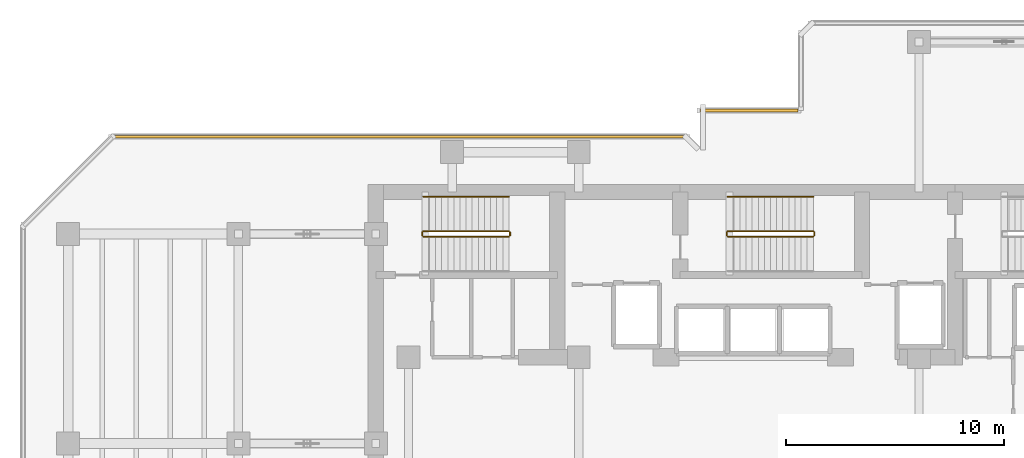
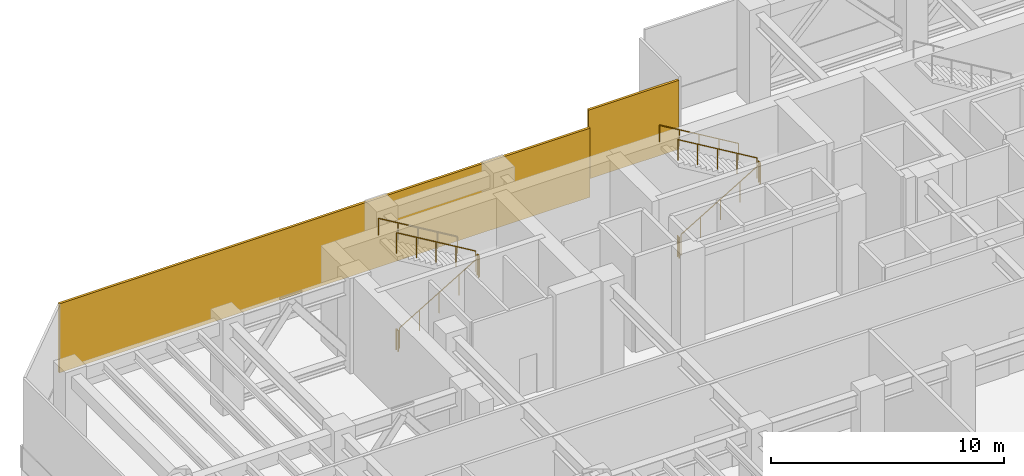
# One storey, part 8 of 10: 10 railings, 2 shading devices.
"""IFC4 building model written with IfcOpenShell, lengths in metres."""

from ifc_helpers import new_model, si_unit, direction, frame, origin, origin_2d, place, context, subcontext, project, spatial, rectangle, circle, extrude, material, layer, layer_set, type_object, element, save


model = new_model("IFC4")

# Units and contexts
model_context = context("Model", 3, precision=1e-05, world=origin(), true_north=direction((0.0, 1.0)))
body_context = subcontext(model_context, "Body", "Model", "MODEL_VIEW")
ifc_project = project(units=[si_unit("LENGTHUNIT", "METRE"), si_unit("AREAUNIT", "SQUARE_METRE"), si_unit("VOLUMEUNIT", "CUBIC_METRE"), si_unit("PLANEANGLEUNIT", "RADIAN"), si_unit("MASSUNIT", "GRAM", prefix="KILO")], contexts=[model_context])

# Site, building, storey
site_placement = place(None, origin())
site = spatial("IfcSite", under=ifc_project, at=site_placement, CompositionType="ELEMENT")
building_placement = place(site_placement, origin())
building = spatial("IfcBuilding", under=site, at=building_placement, Name="Kestravale Grand Hotel", CompositionType="ELEMENT")
storey_placement = place(building_placement, frame((0.0, 0.0, 184.0)))
storey = spatial("IfcBuildingStorey", under=building, at=storey_placement, Name="L46", CompositionType="ELEMENT", Elevation=184.0)

# Railings
ifc_material_1 = material(Name="Painted tubular steel stair well guard", Category="steel")
railing_type_1 = type_object("IfcRailingType", Name="RL-ST-GRD1100", PredefinedType="GUARDRAIL", material=ifc_material_1)
railing_1_placement = place(storey_placement, frame((24.080078125, 38.280029296875, 0.166748046875)))
element("IfcRailing", 1, at=railing_1_placement, inside=storey, type_object=railing_type_1, Name="L46 ST-1 stair guard 1", PredefinedType="GUARDRAIL", context=body_context, shape_type="SweptSolid", body=[
    extrude(circle(Radius=0.02392578125, at=origin_2d()), frame((0.0, 0.0, 1.076171875), z_axis=(0.859296244711, 0.0, 0.511478214419), x_axis=(0.0, 1.0, 0.0)), (0.0, 0.0, 1.0), 4.561767578125),
    extrude(circle(Radius=0.02099609375, at=origin_2d()), origin(), (0.0, 0.0, 1.0), 1.052001953125),
    extrude(circle(Radius=0.02099609375, at=origin_2d()), frame((0.97998046875, 0.0, 0.583251953125)), (0.0, 0.0, 1.0), 1.052001953125),
    extrude(circle(Radius=0.02099609375, at=origin_2d()), frame((1.9599609375, 0.0, 1.16650390625)), (0.0, 0.0, 1.0), 1.052001953125),
    extrude(circle(Radius=0.02099609375, at=origin_2d()), frame((2.93994140625, 0.0, 1.75)), (0.0, 0.0, 1.0), 1.052001953125),
    extrude(circle(Radius=0.02099609375, at=origin_2d()), frame((3.919921875, 0.0, 2.333251953125)), (0.0, 0.0, 1.0), 1.052001953125),
])
railing_2_placement = place(storey_placement, frame((28.050048828125, 38.330078125, 2.5)))
element("IfcRailing", 2, at=railing_2_placement, inside=storey, type_object=railing_type_1, Name="L46 ST-1 stair guard 2", PredefinedType="GUARDRAIL", context=body_context, shape_type="SweptSolid", body=[
    extrude(circle(Radius=0.02392578125, at=origin_2d()), frame((0.0, 0.0, 1.076171875), z_axis=(0.0, 1.0, 0.0), x_axis=(-1.0, 0.0, 0.0)), (0.0, 0.0, 1.0), 0.14990234375),
    extrude(circle(Radius=0.02099609375, at=origin_2d()), origin(), (0.0, 0.0, 1.0), 1.052001953125),
    extrude(circle(Radius=0.02099609375, at=origin_2d()), frame((0.0, 0.14990234375, 0.0)), (0.0, 0.0, 1.0), 1.052001953125),
])
railing_3_placement = place(storey_placement, frame((28.0, 38.530029296875, 2.666748046875)))
element("IfcRailing", 3, at=railing_3_placement, inside=storey, type_object=railing_type_1, Name="L46 ST-1 stair guard 3", PredefinedType="GUARDRAIL", context=body_context, shape_type="SweptSolid", body=[
    extrude(circle(Radius=0.02392578125, at=origin_2d()), frame((0.0, 0.0, 1.076171875), z_axis=(-0.859296244711, 0.0, 0.511478214419), x_axis=(0.0, -1.0, 0.0)), (0.0, 0.0, 1.0), 4.561767578125),
    extrude(circle(Radius=0.02099609375, at=origin_2d()), origin(), (0.0, 0.0, 1.0), 1.052001953125),
    extrude(circle(Radius=0.02099609375, at=origin_2d()), frame((-0.97998046875, 0.0, 0.583251953125)), (0.0, 0.0, 1.0), 1.052001953125),
    extrude(circle(Radius=0.02099609375, at=origin_2d()), frame((-1.9599609375, 0.0, 1.16650390625)), (0.0, 0.0, 1.0), 1.052001953125),
    extrude(circle(Radius=0.02099609375, at=origin_2d()), frame((-2.93994140625, 0.0, 1.75)), (0.0, 0.0, 1.0), 1.052001953125),
    extrude(circle(Radius=0.02099609375, at=origin_2d()), frame((-3.919921875, 0.0, 2.333251953125)), (0.0, 0.0, 1.0), 1.052001953125),
])
railing_4_placement = place(storey_placement, frame((24.030029296875, 38.330078125, 0.0)))
element("IfcRailing", 4, at=railing_4_placement, inside=storey, type_object=railing_type_1, Name="L46 ST-1 stair guard 4", PredefinedType="GUARDRAIL", context=body_context, shape_type="SweptSolid", body=[
    extrude(circle(Radius=0.02392578125, at=origin_2d()), frame((0.0, 0.0, 1.076171875), z_axis=(0.0, 1.0, 0.0), x_axis=(-1.0, 0.0, 0.0)), (0.0, 0.0, 1.0), 0.14990234375),
    extrude(circle(Radius=0.02099609375, at=origin_2d()), origin(), (0.0, 0.0, 1.0), 1.052001953125),
    extrude(circle(Radius=0.02099609375, at=origin_2d()), frame((0.0, 0.14990234375, 0.0)), (0.0, 0.0, 1.0), 1.052001953125),
])
railing_5_placement = place(storey_placement, frame((38.030029296875, 38.280029296875, 0.166748046875)))
element("IfcRailing", 5, at=railing_5_placement, inside=storey, type_object=railing_type_1, Name="L46 ST-2 stair guard 1", PredefinedType="GUARDRAIL", context=body_context, shape_type="SweptSolid", body=[
    extrude(circle(Radius=0.02392578125, at=origin_2d()), frame((0.0, 0.0, 1.076171875), z_axis=(0.859296244711, 0.0, 0.511478214419), x_axis=(0.0, 1.0, 0.0)), (0.0, 0.0, 1.0), 4.561767578125),
    extrude(circle(Radius=0.02099609375, at=origin_2d()), origin(), (0.0, 0.0, 1.0), 1.052001953125),
    extrude(circle(Radius=0.02099609375, at=origin_2d()), frame((0.97998046875, 0.0, 0.583251953125)), (0.0, 0.0, 1.0), 1.052001953125),
    extrude(circle(Radius=0.02099609375, at=origin_2d()), frame((1.9599609375, 0.0, 1.16650390625)), (0.0, 0.0, 1.0), 1.052001953125),
    extrude(circle(Radius=0.02099609375, at=origin_2d()), frame((2.93994140625, 0.0, 1.75)), (0.0, 0.0, 1.0), 1.052001953125),
    extrude(circle(Radius=0.02099609375, at=origin_2d()), frame((3.919921875, 0.0, 2.333251953125)), (0.0, 0.0, 1.0), 1.052001953125),
])
railing_6_placement = place(storey_placement, frame((42.0, 38.330078125, 2.5)))
element("IfcRailing", 6, at=railing_6_placement, inside=storey, type_object=railing_type_1, Name="L46 ST-2 stair guard 2", PredefinedType="GUARDRAIL", context=body_context, shape_type="SweptSolid", body=[
    extrude(circle(Radius=0.02392578125, at=origin_2d()), frame((0.0, 0.0, 1.076171875), z_axis=(0.0, 1.0, 0.0), x_axis=(-1.0, 0.0, 0.0)), (0.0, 0.0, 1.0), 0.14990234375),
    extrude(circle(Radius=0.02099609375, at=origin_2d()), origin(), (0.0, 0.0, 1.0), 1.052001953125),
    extrude(circle(Radius=0.02099609375, at=origin_2d()), frame((0.0, 0.14990234375, 0.0)), (0.0, 0.0, 1.0), 1.052001953125),
])
railing_7_placement = place(storey_placement, frame((41.949951171875, 38.530029296875, 2.666748046875)))
element("IfcRailing", 7, at=railing_7_placement, inside=storey, type_object=railing_type_1, Name="L46 ST-2 stair guard 3", PredefinedType="GUARDRAIL", context=body_context, shape_type="SweptSolid", body=[
    extrude(circle(Radius=0.02392578125, at=origin_2d()), frame((0.0, 0.0, 1.076171875), z_axis=(-0.859296244711, 0.0, 0.511478214419), x_axis=(0.0, -1.0, 0.0)), (0.0, 0.0, 1.0), 4.561767578125),
    extrude(circle(Radius=0.02099609375, at=origin_2d()), origin(), (0.0, 0.0, 1.0), 1.052001953125),
    extrude(circle(Radius=0.02099609375, at=origin_2d()), frame((-0.97998046875, 0.0, 0.583251953125)), (0.0, 0.0, 1.0), 1.052001953125),
    extrude(circle(Radius=0.02099609375, at=origin_2d()), frame((-1.9599609375, 0.0, 1.16650390625)), (0.0, 0.0, 1.0), 1.052001953125),
    extrude(circle(Radius=0.02099609375, at=origin_2d()), frame((-2.93994140625, 0.0, 1.75)), (0.0, 0.0, 1.0), 1.052001953125),
    extrude(circle(Radius=0.02099609375, at=origin_2d()), frame((-3.919921875, 0.0, 2.333251953125)), (0.0, 0.0, 1.0), 1.052001953125),
])
railing_8_placement = place(storey_placement, frame((37.97998046875, 38.330078125, 0.0)))
element("IfcRailing", 8, at=railing_8_placement, inside=storey, type_object=railing_type_1, Name="L46 ST-2 stair guard 4", PredefinedType="GUARDRAIL", context=body_context, shape_type="SweptSolid", body=[
    extrude(circle(Radius=0.02392578125, at=origin_2d()), frame((0.0, 0.0, 1.076171875), z_axis=(0.0, 1.0, 0.0), x_axis=(-1.0, 0.0, 0.0)), (0.0, 0.0, 1.0), 0.14990234375),
    extrude(circle(Radius=0.02099609375, at=origin_2d()), origin(), (0.0, 0.0, 1.0), 1.052001953125),
    extrude(circle(Radius=0.02099609375, at=origin_2d()), frame((0.0, 0.14990234375, 0.0)), (0.0, 0.0, 1.0), 1.052001953125),
])
ifc_material_2 = material(Name="Brushed stainless steel wall handrail", Category="steel")
railing_type_2 = type_object("IfcRailingType", Name="RL-ST-HND900", PredefinedType="HANDRAIL", material=ifc_material_2)
for number, where, name in (
    (9, (28.0, 40.110107421875, 2.666748046875), "L46 ST-1 stair handrail 2"),
    (10, (41.949951171875, 40.110107421875, 2.666748046875), "L46 ST-2 stair handrail 2"),
):
    element("IfcRailing", number, at=place(storey_placement, frame(where)), inside=storey, type_object=railing_type_2, Name=name, PredefinedType="HANDRAIL", context=body_context, shape_type="SweptSolid", body=[
        extrude(circle(Radius=0.02392578125, at=origin_2d()), frame((0.0, 0.0, 0.8759765625), z_axis=(-0.859296244711, 0.0, 0.511478214419), x_axis=(0.0, -1.0, 0.0)), (0.0, 0.0, 1.0), 4.561767578125),
        extrude(circle(Radius=0.02099609375, at=origin_2d()), origin(), (0.0, 0.0, 1.0), 0.851806640625),
        extrude(circle(Radius=0.02099609375, at=origin_2d()), frame((-0.97998046875, 0.0, 0.583251953125)), (0.0, 0.0, 1.0), 0.851806640625),
        extrude(circle(Radius=0.02099609375, at=origin_2d()), frame((-1.9599609375, 0.0, 1.16650390625)), (0.0, 0.0, 1.0), 0.851806640625),
        extrude(circle(Radius=0.02099609375, at=origin_2d()), frame((-2.93994140625, 0.0, 1.75)), (0.0, 0.0, 1.0), 0.851806640625),
        extrude(circle(Radius=0.02099609375, at=origin_2d()), frame((-3.919921875, 0.0, 2.333251953125)), (0.0, 0.0, 1.0), 0.851806640625),
    ])

# Shading devices
ifc_material_3 = material(Name="Anodised bronze storm-proof acoustic ventilation louvre", Category="aluminium")
ifc_layer = layer(ifc_material_3, 0.1201171875)
ifc_layer_set = layer_set([ifc_layer], Name="SHD-LVR-REF")
shading_device_type = type_object("IfcShadingDeviceType", Name="SHD-LVR-REF", PredefinedType="JALOUSIE", material=ifc_layer_set)
shading_device_1_placement = place(storey_placement, frame((39.0, 44.06005859375, 1.1298828125), z_axis=(0.0, 0.0, 1.0), x_axis=(-1.0, 0.0, 0.0)))
element("IfcShadingDevice", 11, at=shading_device_1_placement, inside=storey, type_object=shading_device_type, Name="L46 mechanical refuge chevron louvre 14", PredefinedType="JALOUSIE", context=body_context, shape_type="SweptSolid", body=[
    extrude(rectangle(XDim=4.47998046875, YDim=0.1201171875, at=origin_2d()), origin(), (0.0, 0.0, 1.0), 3.6201171875),
])
shading_device_2_placement = place(storey_placement, frame((22.97509765625, 42.860107421875, 1.1298828125), z_axis=(0.0, 0.0, 1.0), x_axis=(-1.0, 0.0, 0.0)))
element("IfcShadingDevice", 12, at=shading_device_2_placement, inside=storey, type_object=shading_device_type, Name="L46 mechanical refuge chevron louvre 17", PredefinedType="JALOUSIE", context=body_context, shape_type="SweptSolid", body=[
    extrude(rectangle(XDim=26.330078125, YDim=0.1201171875, at=origin_2d()), origin(), (0.0, 0.0, 1.0), 3.6201171875),
])

save(model, "model.ifc")
